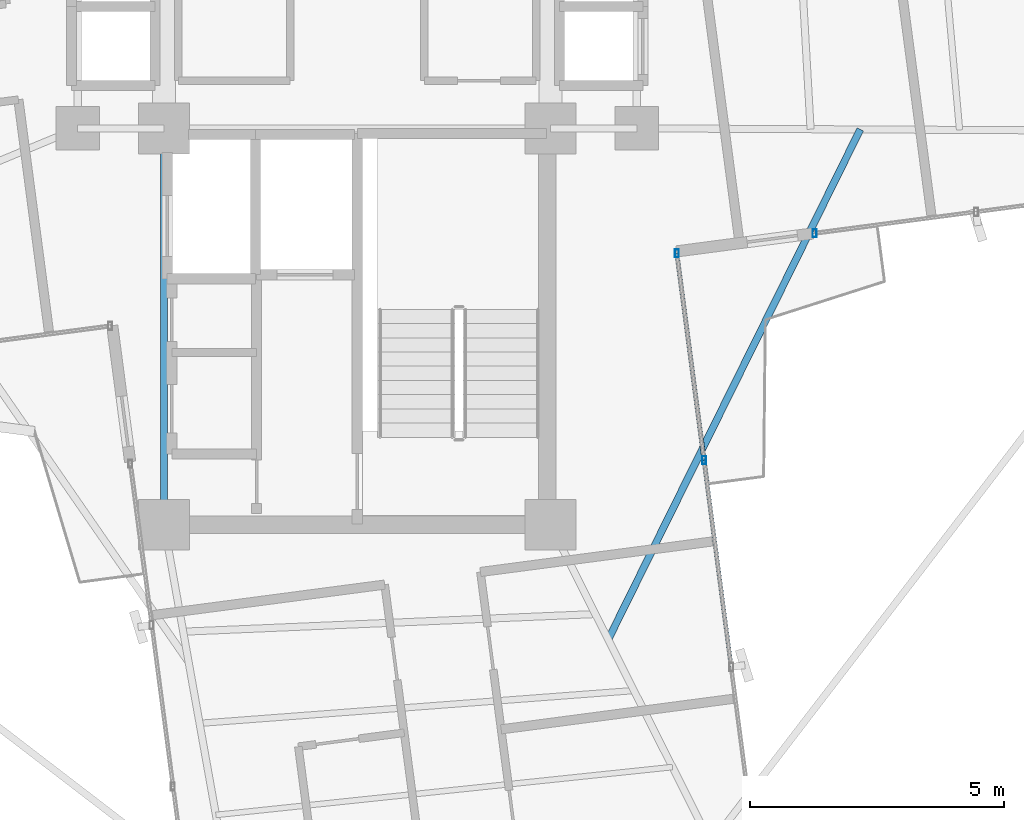
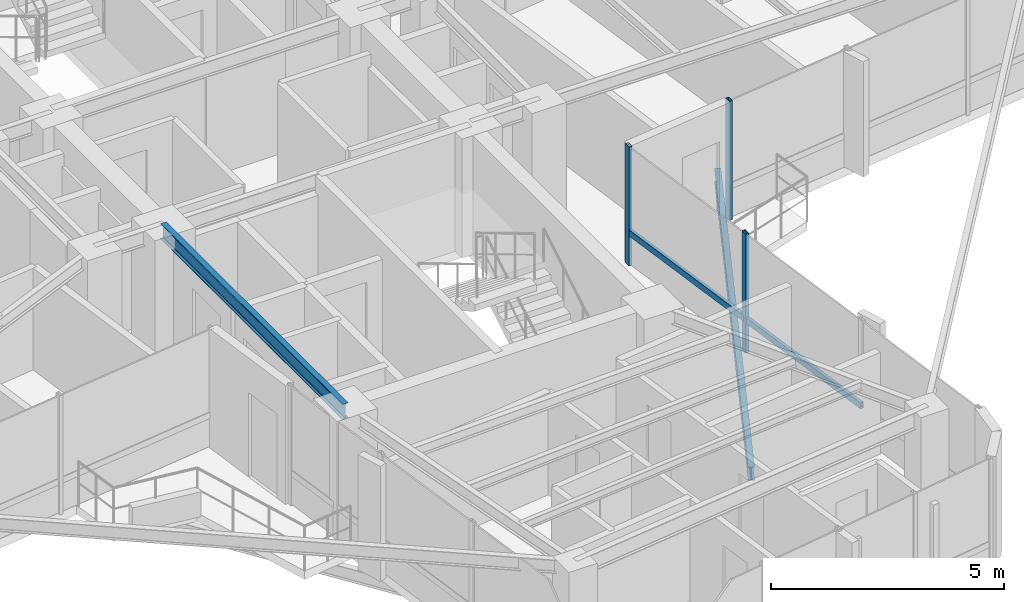
# One storey, part 5 of 22: 5 members, 2 beams, 2 elements without a shape of their own.
"""IFC4 building model written with IfcOpenShell, lengths in metres."""

import ifcopenshell
import ifcopenshell.guid

model = None  # the IFC model being written
_history = None  # IfcOwnerHistory: only IFC2X3 demands one
_inside = {}  # id of a spatial element -> (the spatial element, [elements in it])
_under = {}  # id of a project, library or spatial element -> (it, [spatial elements below it])
_declared = {}  # id of a project -> (the project, [libraries it declares])
_typed = {}  # id of a type object -> (the type object, [elements of that type])
_made_of = {}  # id of a material, layer set ... -> (it, [elements and type objects made of it])


def new_model(schema):
    """Start an empty IFC model of exactly this schema.

    Asked for "IFC4X3", IfcOpenShell would pick the latest addendum, in which some entities
    have other attributes; the version numbers below select the first issue.
    IFC2X3 requires an IfcOwnerHistory on every rooted entity: one is made here for all.
    """
    global model, _history
    if schema == "IFC4X3":
        model = ifcopenshell.file(schema_version=(4, 3, 0, 0))
    else:
        model = ifcopenshell.file(schema=schema)
    _inside.clear()
    _under.clear()
    _declared.clear()
    _typed.clear()
    _made_of.clear()
    _history = None
    if model.schema == "IFC2X3":
        org = make("IfcOrganization", Name="unknown")
        user = make(
            "IfcPersonAndOrganization",
            ThePerson=make("IfcPerson", FamilyName="unknown"),
            TheOrganization=org,
        )
        app = make(
            "IfcApplication",
            ApplicationDeveloper=org,
            Version="unknown",
            ApplicationFullName="unknown",
            ApplicationIdentifier="unknown",
        )
        _history = make(
            "IfcOwnerHistory",
            OwningUser=user,
            OwningApplication=app,
            ChangeAction="ADDED",
            CreationDate=0,
        )
    return model


def make(cls, **values):
    """One entity of the class cls with the attributes given. An attribute that is None is left unset."""
    return model.create_entity(
        cls, **{name: value for name, value in values.items() if value is not None}
    )


def rooted(cls, **values):
    """An entity with a GlobalId (a new one), such as an element, a storey or a relation."""
    return make(cls, GlobalId=ifcopenshell.guid.new(), OwnerHistory=_history, **values)


def si_unit(unit_type, name, prefix=None):
    """IfcSIUnit, for example si_unit("LENGTHUNIT", "METRE", prefix="MILLI")."""
    return make("IfcSIUnit", UnitType=unit_type, Prefix=prefix, Name=name)


def assignment(units):
    """IfcUnitAssignment: the units of a project."""
    return None if units is None else make("IfcUnitAssignment", Units=units)


def point(xyz):
    """IfcCartesianPoint."""
    return None if xyz is None else make("IfcCartesianPoint", Coordinates=xyz)


def direction(xyz):
    """IfcDirection."""
    return None if xyz is None else make("IfcDirection", DirectionRatios=xyz)


def frame(location, z_axis=None, x_axis=None):
    """IfcAxis2Placement3D, a coordinate frame: its origin and axes. An axis left out is left unset."""
    return make(
        "IfcAxis2Placement3D",
        Location=point(location),
        Axis=direction(z_axis),
        RefDirection=direction(x_axis),
    )


def frame_2d(location, x_axis=None):
    """IfcAxis2Placement2D, a coordinate frame in the plane: its origin and x axis."""
    return make(
        "IfcAxis2Placement2D", Location=point(location), RefDirection=direction(x_axis)
    )


def origin():
    """The frame at (0, 0, 0) with its axes left unset."""
    return frame((0.0, 0.0, 0.0))


def origin_2d():
    """The frame at (0, 0) in the plane with its x axis left unset."""
    return frame_2d((0.0, 0.0))


def place(relative_to, where):
    """IfcLocalPlacement: puts the frame where relative to a parent placement (None: the world)."""
    return make(
        "IfcLocalPlacement", PlacementRelTo=relative_to, RelativePlacement=where
    )


def context(
    kind, dimensions, precision=None, world=None, true_north=None, identifier=None
):
    """IfcGeometricRepresentationContext, for example the 3D "Model" context."""
    return make(
        "IfcGeometricRepresentationContext",
        ContextIdentifier=identifier,
        ContextType=kind,
        CoordinateSpaceDimension=dimensions,
        Precision=precision,
        WorldCoordinateSystem=world,
        TrueNorth=true_north,
    )


def subcontext(parent, identifier, kind, view, scale=None):
    """IfcGeometricRepresentationSubContext, for example "Body" below "Model"."""
    return make(
        "IfcGeometricRepresentationSubContext",
        ContextIdentifier=identifier,
        ContextType=kind,
        ParentContext=parent,
        TargetScale=scale,
        TargetView=view,
    )


def project(units=None, contexts=None):
    """IfcProject with its units and contexts."""
    return rooted(
        "IfcProject",
        Name="project",
        RepresentationContexts=contexts,
        UnitsInContext=assignment(units),
    )


def spatial(cls, under=None, at=None, **own):
    """A site, building, storey or space (cls), placed at a placement, below another one or the project."""
    s = rooted(cls, ObjectPlacement=at, **own)
    if under is not None:
        _under.setdefault(under.id(), (under, []))[1].append(s)
    return s


def profile(cls, at=None, kind="AREA", **sizes):
    """A parametric profile (cls). Its sizes go by their IFC names, for example OverallWidth=200.0."""
    return make(cls, ProfileType=kind, Position=at, **sizes)


def hollow_rectangle(**sizes):
    """IfcRectangleHollowProfileDef."""
    return profile("IfcRectangleHollowProfileDef", **sizes)


def i_section(**sizes):
    """IfcIShapeProfileDef."""
    return profile("IfcIShapeProfileDef", **sizes)


def extrude(swept, where, along, depth):
    """IfcExtrudedAreaSolid: the profile swept, set in the frame where, extruded along a direction by depth."""
    return make(
        "IfcExtrudedAreaSolid",
        SweptArea=swept,
        Position=where,
        ExtrudedDirection=direction(along),
        Depth=depth,
    )


def shape(context_of_items, identifier, shape_type, items):
    """IfcShapeRepresentation: the items that make up one representation, for example the "Body"."""
    return make(
        "IfcShapeRepresentation",
        ContextOfItems=context_of_items,
        RepresentationIdentifier=identifier,
        RepresentationType=shape_type,
        Items=items,
    )


def source(mapping_origin, context_of_items, identifier, shape_type, items):
    """IfcRepresentationMap: a shape defined once, which mapped items show again and again."""
    return make(
        "IfcRepresentationMap",
        MappingOrigin=mapping_origin,
        MappedRepresentation=shape(context_of_items, identifier, shape_type, items),
    )


def transform(
    local_origin,
    x_axis=None,
    y_axis=None,
    z_axis=None,
    scale=None,
    scale2=None,
    scale3=None,
    uniform=True,
):
    """IfcCartesianTransformationOperator3D, or its non-uniform kind. x_axis, y_axis, z_axis: its Axis1, 2, 3."""
    if uniform:
        return make(
            "IfcCartesianTransformationOperator3D",
            Axis1=direction(x_axis),
            Axis2=direction(y_axis),
            LocalOrigin=point(local_origin),
            Scale=scale,
            Axis3=direction(z_axis),
        )
    return make(
        "IfcCartesianTransformationOperator3DnonUniform",
        Axis1=direction(x_axis),
        Axis2=direction(y_axis),
        LocalOrigin=point(local_origin),
        Scale=scale,
        Axis3=direction(z_axis),
        Scale2=scale2,
        Scale3=scale3,
    )


def mapped(mapping_source, mapping_target):
    """IfcMappedItem: shows the shape of a source again, moved by a transform."""
    return make(
        "IfcMappedItem", MappingSource=mapping_source, MappingTarget=mapping_target
    )


def material(Name=None, Category=None):
    """IfcMaterial."""
    return make("IfcMaterial", Name=Name, Category=Category)


def material_profile(
    of_material, cross_section, Name=None, Category=None, Priority=None
):
    """IfcMaterialProfile: a cross section and its material."""
    return make(
        "IfcMaterialProfile",
        Name=Name,
        Material=of_material,
        Profile=cross_section,
        Priority=Priority,
        Category=Category,
    )


def profile_set(profiles, Name=None, composite=None):
    """IfcMaterialProfileSet."""
    return make(
        "IfcMaterialProfileSet",
        Name=Name,
        MaterialProfiles=profiles,
        CompositeProfile=composite,
    )


def made_of(thing, what):
    """Note that an element or type object is made of a material, layer set ...; save() writes the relation."""
    if what is not None:
        _made_of.setdefault(what.id(), (what, []))[1].append(thing)
    return thing


def type_object(cls, material=None, **own):
    """A type object (cls), such as IfcWallType, which elements share."""
    return made_of(rooted(cls, **own), material)


def element(
    cls,
    number,
    at=None,
    inside=None,
    cuts=None,
    type_object=None,
    material=None,
    context=None,
    identifier="Body",
    shape_type=None,
    held_by="IfcProductDefinitionShape",
    body=None,
    shapes=None,
    **own,
):
    """One element of the class cls, such as IfcWall. Its Tag is "e" and its number.

    at: its placement. inside: the storey or other place that contains it. cuts: it is an
    opening in that element (IfcRelVoidsElement). A single representation is given by context,
    identifier, shape_type and body (its items); several are given by shapes. held_by: the class
    of the entity that holds the representations. save() writes the other relations.
    """
    e = rooted(cls, Tag="e%d" % number, ObjectPlacement=at, **own)
    if body is not None:
        shapes = [shape(context, identifier, shape_type, body)]
    if shapes is not None:
        e.Representation = make(held_by, Representations=shapes)
    if inside is not None:
        _inside.setdefault(inside.id(), (inside, []))[1].append(e)
    if cuts is not None:
        rooted(
            "IfcRelVoidsElement", RelatingBuildingElement=cuts, RelatedOpeningElement=e
        )
    if type_object is not None:
        _typed.setdefault(type_object.id(), (type_object, []))[1].append(e)
    return made_of(e, material)


def aggregate(whole, parts):
    """IfcRelAggregates: a whole, such as a stair, and the parts it consists of."""
    return rooted("IfcRelAggregates", RelatingObject=whole, RelatedObjects=parts)


def save(model, path):
    """Write the relations noted so far, then the file.

    IfcRelAggregates (storeys below a building ...), IfcRelContainedInSpatialStructure (elements
    in a storey), IfcRelDefinesByType, IfcRelAssociatesMaterial and IfcRelDeclares: one each for
    every whole, place, type object, material and project.
    """
    for whole, parts in _under.values():
        aggregate(whole, parts)
    for where, things in _inside.values():
        rooted(
            "IfcRelContainedInSpatialStructure",
            RelatedElements=things,
            RelatingStructure=where,
        )
    for kind, things in _typed.values():
        rooted("IfcRelDefinesByType", RelatedObjects=things, RelatingType=kind)
    for what, things in _made_of.values():
        rooted("IfcRelAssociatesMaterial", RelatedObjects=things, RelatingMaterial=what)
    for by, libraries in _declared.values():
        rooted("IfcRelDeclares", RelatingContext=by, RelatedDefinitions=libraries)
    model.write(path)


model = new_model("IFC4")

# Units and contexts
model_context = context("Model", 3, precision=1e-05, world=origin(), true_north=direction((0.0, 1.0)))
body_context = subcontext(model_context, "Body", "Model", "MODEL_VIEW")
ifc_project = project(units=[si_unit("LENGTHUNIT", "METRE"), si_unit("AREAUNIT", "SQUARE_METRE"), si_unit("VOLUMEUNIT", "CUBIC_METRE"), si_unit("PLANEANGLEUNIT", "RADIAN"), si_unit("MASSUNIT", "GRAM", prefix="KILO")], contexts=[model_context])

# Site, building, storey
site_placement = place(None, origin())
site = spatial("IfcSite", under=ifc_project, at=site_placement, CompositionType="ELEMENT")
building_placement = place(site_placement, origin())
building = spatial("IfcBuilding", under=site, at=building_placement, Name="Sahyath Konkavel Grand Hotel", CompositionType="ELEMENT")
storey_placement = place(building_placement, frame((0.0, 0.0, 269.10009765625)))
storey = spatial("IfcBuildingStorey", under=building, at=storey_placement, Name="L75", CompositionType="ELEMENT", Elevation=269.10009765625)

# Beam
ifc_material_1 = material(Name="Steel E350", Category="steel")
ifc_material_profile_1 = material_profile(ifc_material_1, i_section(OverallWidth=0.139892578125, OverallDepth=0.39990234375, WebThickness=0.0087890625, FlangeThickness=0.01611328125, FilletRadius=0.013916015625, at=origin_2d()), Name="ISMB 400")
ifc_profile_set_1 = profile_set([ifc_material_profile_1], Name="Steel E350")
beam_type_1 = type_object("IfcBeamType", Name="BM-ISMB400", PredefinedType="BEAM", material=ifc_profile_set_1)
shared_shape_1 = source(origin(), body_context, "Body", "SweptSolid", [
    extrude(i_section(OverallWidth=0.139892578125, OverallDepth=0.39990234375, WebThickness=0.0087890625, FlangeThickness=0.01611328125, FilletRadius=0.013916015625, at=origin_2d()), origin(), (0.0, 0.0, 1.0), 7.800048828125),
])
beam_1_placement = place(storey_placement, frame((-3.800048828125, -10.199951171875, 2.909912109375), z_axis=(0.0, 1.0, 0.0), x_axis=(-1.0, 0.0, 0.0)))
element("IfcBeam", 1, at=beam_1_placement, inside=storey, type_object=beam_type_1, Name="str:bm:L75:SC-W", PredefinedType="BEAM", context=body_context, shape_type="MappedRepresentation", body=[
    mapped(shared_shape_1, transform((0.0, 0.0, 0.0), scale=1.0)),
])

# Curtain wall, member
ifc_material_2 = material(Name="Anodised Bronze Aluminium & Low-E Glazing", Category="aluminium")
curtain_wall_type = type_object("IfcCurtainWallType", Name="CW-ZONE4", PredefinedType="NOTDEFINED", material=ifc_material_2)
curtain_wall_1_placement = place(storey_placement, origin())
curtain_wall_1 = element("IfcCurtainWall", 2, at=curtain_wall_1_placement, inside=storey, type_object=curtain_wall_type, Name="L75 Unitised Curtain Wall F0", PredefinedType="NOTDEFINED")
ifc_material_3 = material(Name="Anodised Bronze Aluminium", Category="aluminium")
ifc_material_profile_2 = material_profile(ifc_material_3, hollow_rectangle(XDim=0.080078125, YDim=0.159912109375, WallThickness=0.006103515625, at=origin_2d()), Name="RHS 160x80x6")
ifc_profile_set_2 = profile_set([ifc_material_profile_2], Name="Anodised Bronze Aluminium")
member_type_1 = type_object("IfcMemberType", Name="CW-MUL-160", PredefinedType="MULLION", material=ifc_profile_set_2)
shared_shape_2 = source(origin(), body_context, "Body", "SweptSolid", [
    extrude(hollow_rectangle(XDim=0.080078125, YDim=0.159912109375, WallThickness=0.006103515625, at=origin_2d()), origin(), (0.0, 0.0, 1.0), 3.10986328125),
])
member_1_placement = place(storey_placement, frame((8.99951171875, -4.46337890625, 0.0), z_axis=(0.0, 0.0, 1.0), x_axis=(1.0, 0.0, 0.0)))
member_1 = element("IfcMember", 3, at=member_1_placement, type_object=member_type_1, Name="L75 Curtain Wall Mullion F0-0", PredefinedType="MULLION", context=body_context, shape_type="MappedRepresentation", body=[
    mapped(shared_shape_2, transform((0.0, 0.0, 0.0), scale=1.0)),
])
aggregate(curtain_wall_1, [member_1])

# Curtain wall, members
curtain_wall_2_placement = place(storey_placement, origin())
curtain_wall_2 = element("IfcCurtainWall", 4, at=curtain_wall_2_placement, inside=storey, type_object=curtain_wall_type, Name="L75 Unitised Curtain Wall F31", PredefinedType="NOTDEFINED")
member_2_placement = place(storey_placement, frame((6.82373046875, -8.928955078125, 0.0), z_axis=(0.0, 0.0, 1.0), x_axis=(1.0, 0.0, 0.0)))
member_2 = element("IfcMember", 5, at=member_2_placement, type_object=member_type_1, Name="L75 Curtain Wall Mullion F31-2", PredefinedType="MULLION", context=body_context, shape_type="MappedRepresentation", body=[
    mapped(shared_shape_2, transform((0.0, 0.0, 0.0), scale=1.0)),
])
member_3_placement = place(storey_placement, frame((6.2880859375, -4.86083984375, 0.0), z_axis=(0.0, 0.0, 1.0), x_axis=(1.0, 0.0, 0.0)))
member_3 = element("IfcMember", 6, at=member_3_placement, type_object=member_type_1, Name="L75 Curtain Wall Mullion F31-3", PredefinedType="MULLION", context=body_context, shape_type="MappedRepresentation", body=[
    mapped(shared_shape_2, transform((0.0, 0.0, 0.0), scale=1.0)),
])
ifc_material_profile_3 = material_profile(ifc_material_3, hollow_rectangle(XDim=0.080078125, YDim=0.159912109375, WallThickness=0.006103515625, at=origin_2d()), Name="RHS 160x80x6")
ifc_profile_set_3 = profile_set([ifc_material_profile_3], Name="Anodised Bronze Aluminium")
member_type_2 = type_object("IfcMemberType", Name="CW-TRN-160", PredefinedType="USERDEFINED", material=ifc_profile_set_3)
shared_shape_3 = source(origin(), body_context, "Body", "SweptSolid", [
    extrude(hollow_rectangle(XDim=0.080078125, YDim=0.159912109375, WallThickness=0.006103515625, at=origin_2d()), origin(), (0.0, 0.0, 1.0), 4.103271484375),
])
member_4_placement = place(storey_placement, frame((6.82373046875, -8.928955078125, 0.849853515625), z_axis=(-0.130542242661, 0.991442748161, 0.0), x_axis=(-0.991442748161, -0.130542242661, 0.0)))
member_4 = element("IfcMember", 7, at=member_4_placement, type_object=member_type_2, Name="L75 Curtain Wall Transom F31-2-spandrel", ObjectType="TRANSOM", PredefinedType="USERDEFINED", context=body_context, shape_type="MappedRepresentation", body=[
    mapped(shared_shape_3, transform((0.0, 0.0, 0.0), scale=1.0)),
])
shared_shape_4 = source(origin(), body_context, "Body", "SweptSolid", [
    extrude(hollow_rectangle(XDim=0.080078125, YDim=0.159912109375, WallThickness=0.006103515625, at=origin_2d()), origin(), (0.0, 0.0, 1.0), 4.103515625),
])
member_5_placement = place(storey_placement, frame((7.359619140625, -12.997314453125, 0.849853515625), z_axis=(-0.130593024052, 0.991436060505, 0.0), x_axis=(-0.991436060505, -0.130593024052, 0.0)))
member_5 = element("IfcMember", 8, at=member_5_placement, type_object=member_type_2, Name="L75 Curtain Wall Transom F31-1-spandrel", ObjectType="TRANSOM", PredefinedType="USERDEFINED", context=body_context, shape_type="MappedRepresentation", body=[
    mapped(shared_shape_4, transform((0.0, 0.0, 0.0), scale=1.0)),
])
aggregate(curtain_wall_2, [member_2, member_3, member_5, member_4])

# Beam
ifc_material_profile_4 = material_profile(ifc_material_1, i_section(OverallWidth=0.139892578125, OverallDepth=0.35009765625, WebThickness=0.008056640625, FlangeThickness=0.01416015625, FilletRadius=0.013916015625, at=origin_2d()), Name="ISMB 350")
ifc_profile_set_4 = profile_set([ifc_material_profile_4], Name="Steel E350")
beam_type_2 = type_object("IfcBeamType", Name="BM-BALC-CANT", PredefinedType="BEAM", material=ifc_profile_set_4)
shared_shape_5 = source(origin(), body_context, "Body", "SweptSolid", [
    extrude(i_section(OverallWidth=0.139892578125, OverallDepth=0.35009765625, WebThickness=0.008056640625, FlangeThickness=0.01416015625, FilletRadius=0.013916015625, at=origin_2d()), origin(), (0.0, 0.0, 1.0), 11.19482421875),
])
beam_2_placement = place(storey_placement, frame((4.9375, -12.4580078125, -0.4150390625), z_axis=(0.442969049107, 0.896536904725, 0.0), x_axis=(-0.896536904725, 0.442969049107, 0.0)))
element("IfcBeam", 9, at=beam_2_placement, inside=storey, type_object=beam_type_2, Name="L75 Balcony Cantilever Support Beam SE", PredefinedType="BEAM", context=body_context, shape_type="MappedRepresentation", body=[
    mapped(shared_shape_5, transform((0.0, 0.0, 0.0), scale=1.0)),
])

save(model, "model.ifc")
